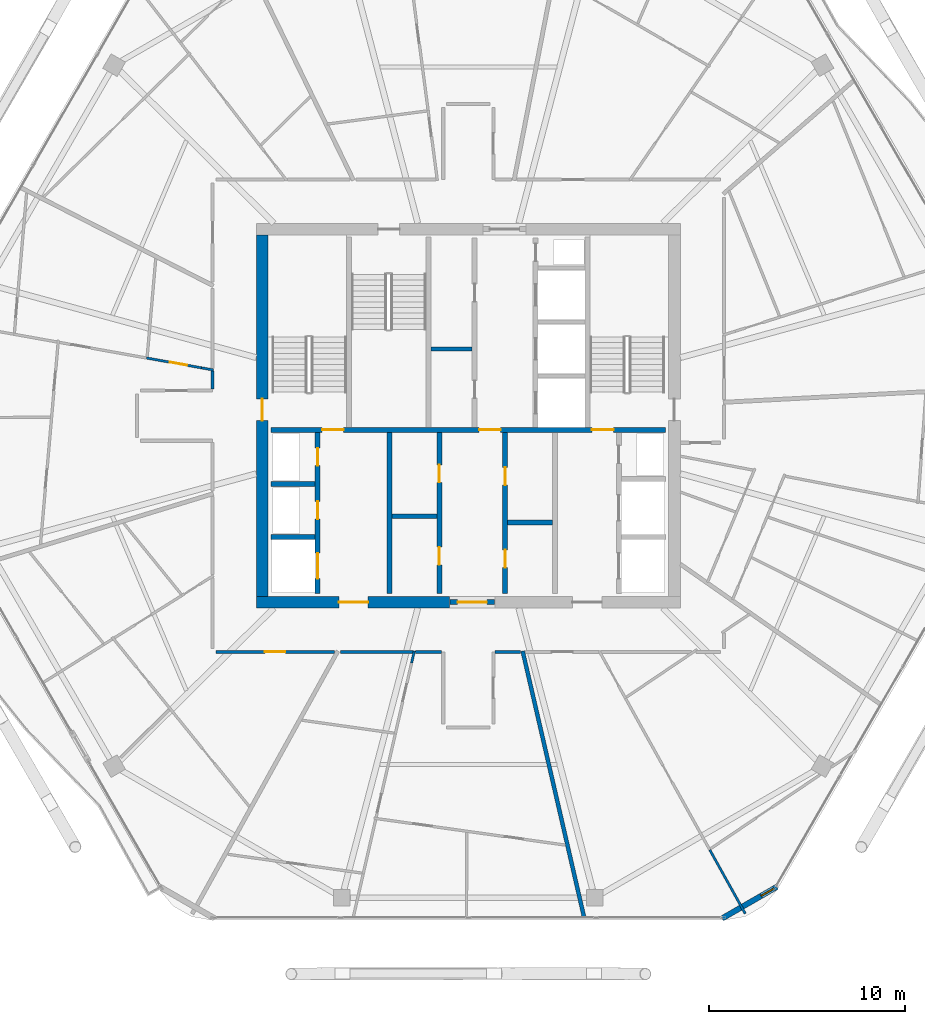
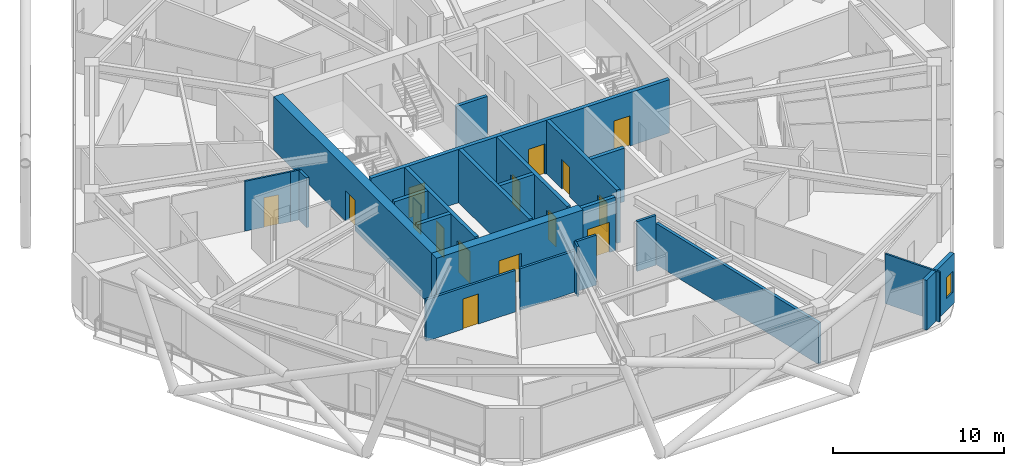
# One storey, part 21 of 28: 24 walls, 15 doors, 1 window, 16 openings.
"""IFC4 building model written with IfcOpenShell, lengths in metres."""

from ifc_helpers import new_model, si_unit, direction, frame, frame_2d, origin, place, context, subcontext, project, spatial, rectangle, extrude, material, layer, layer_set, type_object, element, fill, save


model = new_model("IFC4")

# Units and contexts
model_context = context("Model", 3, precision=1e-05, world=origin(), true_north=direction((0.0, 1.0)))
body_context = subcontext(model_context, "Body", "Model", "MODEL_VIEW")
ifc_project = project(units=[si_unit("LENGTHUNIT", "METRE"), si_unit("AREAUNIT", "SQUARE_METRE"), si_unit("VOLUMEUNIT", "CUBIC_METRE"), si_unit("PLANEANGLEUNIT", "RADIAN"), si_unit("MASSUNIT", "GRAM", prefix="KILO")], contexts=[model_context])

# Site, building, storey
site_placement = place(None, origin())
site = spatial("IfcSite", under=ifc_project, at=site_placement, CompositionType="ELEMENT")
building_placement = place(site_placement, origin())
building = spatial("IfcBuilding", under=site, at=building_placement, Name="Zuhravey Tower", CompositionType="ELEMENT")
storey_placement = place(building_placement, frame((0.0, 0.0, 284.39990234375)))
storey = spatial("IfcBuildingStorey", under=building, at=storey_placement, Name="L72", CompositionType="ELEMENT", Elevation=284.39990234375)

# Wall, opening, door
ifc_material_1 = material(Name="Concrete C50/60", Category="concrete")
ifc_layer_1 = layer(ifc_material_1, 0.60009765625)
ifc_layer_set_1 = layer_set([ifc_layer_1], Name="Concrete C50/60")
wall_type_1 = type_object("IfcWallType", Name="Core Shear Wall 600", PredefinedType="SHEAR", material=ifc_layer_set_1)
wall_1_placement = place(storey_placement, frame((25.199951171875, 22.5, 0.0), z_axis=(0.0, 0.0, 1.0), x_axis=(1.0, 0.0, 0.0)))
wall_1 = element("IfcWall", 1, at=wall_1_placement, inside=storey, type_object=wall_type_1, Name="L72 South-West Core Shear Wall CW60", PredefinedType="SHEAR", context=body_context, shape_type="SweptSolid", body=[
    extrude(rectangle(XDim=9.85009765625, YDim=0.60009765625, at=frame_2d((4.925048828125, 0.0))), origin(), (0.0, 0.0, 1.0), 3.800048828125),
])
opening_1_placement = place(wall_1_placement, frame((4.199951171875, 0.0, 0.0)))
opening_1 = element("IfcOpeningElement", 2, at=opening_1_placement, cuts=wall_1, Name="Opening FFD1", PredefinedType="OPENING", context=body_context, shape_type="SweptSolid", body=[
    extrude(rectangle(XDim=1.5, YDim=2.14990234375, at=frame_2d((0.75, 1.074951171875))), frame((0.0, 0.31201171875, 0.0), z_axis=(0.0, -1.0, 0.0), x_axis=(1.0, 0.0, 0.0)), (0.0, 0.0, 1.0), 0.6240234375),
])
ifc_material_2 = material(Name="Galvanised fire-rated steel leaf", Category="steel")
door_type_1 = type_object("IfcDoorType", Name="Firefighting Lobby Double Door 1500x2150", OperationType="DOUBLE_DOOR_SINGLE_SWING", PredefinedType="DOOR", material=ifc_material_2)
door_1_placement = place(opening_1_placement, origin())
door_1 = element("IfcDoor", 3, at=door_1_placement, inside=storey, type_object=door_type_1, Name="L72 Firefighting Lobby West Door", OperationType="DOUBLE_DOOR_SINGLE_SWING", OverallHeight=2.14990234375, OverallWidth=1.5, PredefinedType="DOOR", context=body_context, shape_type="SweptSolid", body=[
    extrude(rectangle(XDim=1.5, YDim=2.14990234375, at=frame_2d((0.75, 1.074951171875))), frame((0.0, 0.02490234375, 0.0), z_axis=(0.0, -1.0, 0.0), x_axis=(1.0, 0.0, 0.0)), (0.0, 0.0, 1.0), 0.050048828125),
])
fill(opening_1, door_1)

wall_2_placement = place(storey_placement, frame((25.5, 22.800048828125, 0.0), z_axis=(0.0, 0.0, 1.0), x_axis=(0.0, 1.0, 0.0)))
wall_2 = element("IfcWall", 4, at=wall_2_placement, inside=storey, type_object=wall_type_1, Name="L72 West Core Shear Wall CW60", PredefinedType="SHEAR", context=body_context, shape_type="SweptSolid", body=[
    extrude(rectangle(XDim=18.39990234375, YDim=0.60009765625, at=frame_2d((9.199951171875, 0.0))), origin(), (0.0, 0.0, 1.0), 3.800048828125),
])
opening_2_placement = place(wall_2_placement, frame((8.949951171875, 0.0, 0.0)))
opening_2 = element("IfcOpeningElement", 5, at=opening_2_placement, cuts=wall_2, Name="Opening STD1", PredefinedType="OPENING", context=body_context, shape_type="SweptSolid", body=[
    extrude(rectangle(XDim=1.10009765625, YDim=2.14990234375, at=frame_2d((0.550048828125, 1.074951171875))), frame((0.0, 0.31201171875, 0.0), z_axis=(0.0, -1.0, 0.0), x_axis=(1.0, 0.0, 0.0)), (0.0, 0.0, 1.0), 0.6240234375),
])
door_type_2 = type_object("IfcDoorType", Name="Protected Stair Fire Door 1100x2150", OperationType="NOTDEFINED", PredefinedType="USERDEFINED", material=ifc_material_2)
door_2_placement = place(opening_2_placement, frame((1.10009765625, 0.0, 0.0), z_axis=(0.0, 0.0, 1.0), x_axis=(-1.0, 0.0, 0.0)))
door_2 = element("IfcDoor", 6, at=door_2_placement, inside=storey, type_object=door_type_2, Name="L72 Stair ST1 Door", ObjectType="EXITDOOR", OperationType="SINGLE_SWING_RIGHT", OverallHeight=2.14990234375, OverallWidth=1.10009765625, PredefinedType="USERDEFINED", context=body_context, shape_type="SweptSolid", body=[
    extrude(rectangle(XDim=1.10009765625, YDim=2.14990234375, at=frame_2d((0.550048828125, 1.074951171875))), frame((0.0, 0.02490234375, 0.0), z_axis=(0.0, -1.0, 0.0), x_axis=(1.0, 0.0, 0.0)), (0.0, 0.0, 1.0), 0.050048828125),
])
fill(opening_2, door_2)

ifc_material_3 = material(Name="Gypsum fire-rated stud partition")
ifc_layer_2 = layer(ifc_material_3, 0.159912109375)
ifc_layer_set_2 = layer_set([ifc_layer_2], Name="Gypsum fire-rated stud partition")
wall_type_2 = type_object("IfcWallType", Name="Corridor Fire Partition 160", PredefinedType="PARTITIONING", material=ifc_layer_set_2)
wall_3_placement = place(storey_placement, frame((23.14990234375, 19.969970703125, 0.0), z_axis=(0.0, 0.0, 1.0), x_axis=(1.0, 0.0, 0.0)))
wall_3 = element("IfcWall", 7, at=wall_3_placement, inside=storey, type_object=wall_type_2, Name="L72 IW16 Partition 032", PredefinedType="PARTITIONING", context=body_context, shape_type="SweptSolid", body=[
    extrude(rectangle(XDim=6.02099609375, YDim=0.159912109375, at=frame_2d((3.010498046875, 0.0))), origin(), (0.0, 0.0, 1.0), 2.9501953125),
])
opening_3_placement = place(wall_3_placement, frame((2.4853515625, 0.0, 0.0)))
opening_3 = element("IfcOpeningElement", 8, at=opening_3_placement, cuts=wall_3, Name="Opening APD1", PredefinedType="OPENING", context=body_context, shape_type="SweptSolid", body=[
    extrude(rectangle(XDim=1.050048828125, YDim=2.14990234375, at=frame_2d((0.52490234375, 1.074951171875))), frame((0.0, 0.092041015625, 0.0), z_axis=(0.0, -1.0, 0.0), x_axis=(1.0, 0.0, 0.0)), (0.0, 0.0, 1.0), 0.183837890625),
])
ifc_material_4 = material(Name="Solid-core oak fire-rated leaf")
door_type_3 = type_object("IfcDoorType", Name="Apartment Entrance Fire Door 1050x2150", OperationType="NOTDEFINED", PredefinedType="DOOR", material=ifc_material_4)
door_3_placement = place(opening_3_placement, frame((1.050048828125, 0.0, 0.0), z_axis=(0.0, 0.0, 1.0), x_axis=(-1.0, 0.0, 0.0)))
door_3 = element("IfcDoor", 9, at=door_3_placement, inside=storey, type_object=door_type_3, Name="L72 Door 032.1", OperationType="SINGLE_SWING_LEFT", OverallHeight=2.14990234375, OverallWidth=1.050048828125, PredefinedType="DOOR", context=body_context, shape_type="SweptSolid", body=[
    extrude(rectangle(XDim=1.050048828125, YDim=2.14990234375, at=frame_2d((0.52490234375, 1.074951171875))), frame((0.0, 0.02490234375, 0.0), z_axis=(0.0, -1.0, 0.0), x_axis=(1.0, 0.0, 0.0)), (0.0, 0.0, 1.0), 0.050048828125),
])
fill(opening_3, door_3)

# Walls
wall_4_placement = place(storey_placement, frame((22.969970703125, 34.26611328125, 0.0), z_axis=(0.0, 0.0, 1.0), x_axis=(0.0, -1.0, 0.0)))
element("IfcWall", 10, at=wall_4_placement, inside=storey, type_object=wall_type_2, Name="L72 IW16 Partition 117", PredefinedType="PARTITIONING", context=body_context, shape_type="SweptSolid", body=[
    extrude(rectangle(XDim=0.898193359375, YDim=0.159912109375, at=frame_2d((0.44921875, 0.0))), origin(), (0.0, 0.0, 1.0), 3.550048828125),
])
wall_5_placement = place(storey_placement, frame((33.31005859375, 19.969970703125, 0.0), z_axis=(0.0, 0.0, 1.0), x_axis=(1.0, 0.0, 0.0)))
element("IfcWall", 11, at=wall_5_placement, inside=storey, type_object=wall_type_2, Name="L72 IW16 Partition 123", PredefinedType="PARTITIONING", context=body_context, shape_type="SweptSolid", body=[
    extrude(rectangle(XDim=1.322021484375, YDim=0.159912109375, at=frame_2d((0.6611328125, 0.0))), origin(), (0.0, 0.0, 1.0), 3.550048828125),
])
wall_6_placement = place(storey_placement, frame((37.367919921875, 19.969970703125, 0.0), z_axis=(0.0, 0.0, 1.0), x_axis=(1.0, 0.0, 0.0)))
element("IfcWall", 12, at=wall_6_placement, inside=storey, type_object=wall_type_2, Name="L72 IW16 Partition 124", PredefinedType="PARTITIONING", context=body_context, shape_type="SweptSolid", body=[
    extrude(rectangle(XDim=1.278564453125, YDim=0.159912109375, at=frame_2d((0.63916015625, 0.0))), origin(), (0.0, 0.0, 1.0), 3.550048828125),
])
wall_7_placement = place(storey_placement, frame((29.490966796875, 19.969970703125, 0.0), z_axis=(0.0, 0.0, 1.0), x_axis=(1.0, 0.0, 0.0)))
element("IfcWall", 13, at=wall_7_placement, inside=storey, type_object=wall_type_2, Name="L72 IW16 Partition 125", PredefinedType="PARTITIONING", context=body_context, shape_type="SweptSolid", body=[
    extrude(rectangle(XDim=3.6796875, YDim=0.159912109375, at=frame_2d((1.83984375, 0.0))), origin(), (0.0, 0.0, 1.0), 2.9501953125),
])

# Wall, opening, window
ifc_material_5 = material(Name="Precast concrete C40/50", Category="concrete")
ifc_layer_3 = layer(ifc_material_5, 0.280029296875)
ifc_layer_set_3 = layer_set([ifc_layer_3], Name="Precast concrete C40/50")
wall_type_3 = type_object("IfcWallType", Name="Crown Architectural Wall 280", PredefinedType="SOLIDWALL", material=ifc_layer_set_3)
wall_8_placement = place(storey_placement, frame((51.714599609375, 7.996337890625, 0.0), z_axis=(0.0, 0.0, 1.0), x_axis=(-0.866028773314, -0.499994163758, 0.0)))
wall_8 = element("IfcWall", 14, at=wall_8_placement, inside=storey, type_object=wall_type_3, Name="L72 Rounded Corner Closure Wall EW28-02", PredefinedType="SOLIDWALL", context=body_context, shape_type="SweptSolid", body=[
    extrude(rectangle(XDim=3.21484375, YDim=0.280029296875, at=frame_2d((1.607421875, 0.0))), origin(), (0.0, 0.0, 1.0), 3.550048828125),
])
opening_4_placement = place(wall_8_placement, frame((0.17578125, 0.0, 0.85009765625)))
opening_4 = element("IfcOpeningElement", 15, at=opening_4_placement, cuts=wall_8, Name="Opening WN5", PredefinedType="OPENING", context=body_context, shape_type="SweptSolid", body=[
    extrude(rectangle(XDim=0.75, YDim=1.5, at=frame_2d((0.375, 0.75))), frame((0.0, 0.152099609375, 0.0), z_axis=(0.0, -1.0, 0.0), x_axis=(1.0, 0.0, 0.0)), (0.0, 0.0, 1.0), 0.303955078125),
])
ifc_material_6 = material(Name="Thermally broken aluminium and triple low-E glass", Category="aluminium")
window_type = type_object("IfcWindowType", Name="Residential Corner Casement Window 750x1500", PartitioningType="SINGLE_PANEL", PredefinedType="WINDOW", material=ifc_material_6)
window_placement = place(opening_4_placement, origin())
window = element("IfcWindow", 16, at=window_placement, inside=storey, type_object=window_type, Name="L72 Corner Casement Window WN5-02.1", OverallHeight=1.5, OverallWidth=0.75, PartitioningType="SINGLE_PANEL", PredefinedType="WINDOW", context=body_context, shape_type="SweptSolid", body=[
    extrude(rectangle(XDim=0.75, YDim=1.5, at=frame_2d((0.375, 0.75))), frame((0.0, 0.030029296875, 0.0), z_axis=(0.0, -1.0, 0.0), x_axis=(1.0, 0.0, 0.0)), (0.0, 0.0, 1.0), 0.06005859375),
])
fill(opening_4, window)

# Wall, opening, door
ifc_layer_4 = layer(ifc_material_1, 0.25)
ifc_layer_set_4 = layer_set([ifc_layer_4], Name="Concrete C50/60")
wall_type_4 = type_object("IfcWallType", Name="Firefighting Shaft & Stair Wall 250", PredefinedType="SOLIDWALL", material=ifc_layer_set_4)
wall_9_placement = place(storey_placement, frame((35.06005859375, 22.5, 0.0), z_axis=(0.0, 0.0, 1.0), x_axis=(1.0, 0.0, 0.0)))
wall_9 = element("IfcWall", 17, at=wall_9_placement, inside=storey, type_object=wall_type_4, Name="L72 FW25 Shaft Wall 001", PredefinedType="SOLIDWALL", context=body_context, shape_type="SweptSolid", body=[
    extrude(rectangle(XDim=2.280029296875, YDim=0.25, at=frame_2d((1.14013671875, 0.0))), origin(), (0.0, 0.0, 1.0), 3.800048828125),
])
opening_5_placement = place(wall_9_placement, frame((0.389892578125, 0.0, 0.0)))
opening_5 = element("IfcOpeningElement", 18, at=opening_5_placement, cuts=wall_9, Name="Opening FFD1", PredefinedType="OPENING", context=body_context, shape_type="SweptSolid", body=[
    extrude(rectangle(XDim=1.5, YDim=2.14990234375, at=frame_2d((0.75, 1.074951171875))), frame((0.0, 0.136962890625, 0.0), z_axis=(0.0, -1.0, 0.0), x_axis=(1.0, 0.0, 0.0)), (0.0, 0.0, 1.0), 0.27392578125),
])
door_4_placement = place(opening_5_placement, frame((1.5, 0.0, 0.0), z_axis=(0.0, 0.0, 1.0), x_axis=(-1.0, 0.0, 0.0)))
door_4 = element("IfcDoor", 19, at=door_4_placement, inside=storey, type_object=door_type_1, Name="L72 South Lift Lobby Exit Door", OperationType="DOUBLE_DOOR_SINGLE_SWING", OverallHeight=2.14990234375, OverallWidth=1.5, PredefinedType="DOOR", context=body_context, shape_type="SweptSolid", body=[
    extrude(rectangle(XDim=1.5, YDim=2.14990234375, at=frame_2d((0.75, 1.074951171875))), frame((0.0, 0.02490234375, 0.0), z_axis=(0.0, -1.0, 0.0), x_axis=(1.0, 0.0, 0.0)), (0.0, 0.0, 1.0), 0.050048828125),
])
fill(opening_5, door_4)

# Wall, openings, doors
wall_10_placement = place(storey_placement, frame((25.949951171875, 31.27490234375, 0.0), z_axis=(0.0, 0.0, 1.0), x_axis=(1.0, 0.0, 0.0)))
wall_10 = element("IfcWall", 20, at=wall_10_placement, inside=storey, type_object=wall_type_4, Name="L72 FW25 Shaft Wall 003", PredefinedType="SOLIDWALL", context=body_context, shape_type="SweptSolid", body=[
    extrude(rectangle(XDim=20.10009765625, YDim=0.25, at=frame_2d((10.050048828125, 0.0))), origin(), (0.0, 0.0, 1.0), 3.800048828125),
])
opening_6_placement = place(wall_10_placement, frame((2.60009765625, 0.0, 0.0)))
opening_6 = element("IfcOpeningElement", 21, at=opening_6_placement, cuts=wall_10, Name="Opening STD1", PredefinedType="OPENING", context=body_context, shape_type="SweptSolid", body=[
    extrude(rectangle(XDim=1.10009765625, YDim=2.14990234375, at=frame_2d((0.550048828125, 1.074951171875))), frame((0.0, 0.136962890625, 0.0), z_axis=(0.0, -1.0, 0.0), x_axis=(1.0, 0.0, 0.0)), (0.0, 0.0, 1.0), 0.27392578125),
])
opening_7_placement = place(wall_10_placement, frame((10.60009765625, 0.0, 0.0)))
opening_7 = element("IfcOpeningElement", 22, at=opening_7_placement, cuts=wall_10, Name="Opening STD1", PredefinedType="OPENING", context=body_context, shape_type="SweptSolid", body=[
    extrude(rectangle(XDim=1.10009765625, YDim=2.14990234375, at=frame_2d((0.550048828125, 1.074951171875))), frame((0.0, 0.136962890625, 0.0), z_axis=(0.0, -1.0, 0.0), x_axis=(1.0, 0.0, 0.0)), (0.0, 0.0, 1.0), 0.27392578125),
])
opening_8_placement = place(wall_10_placement, frame((16.35009765625, 0.0, 0.0)))
opening_8 = element("IfcOpeningElement", 23, at=opening_8_placement, cuts=wall_10, Name="Opening STD1", PredefinedType="OPENING", context=body_context, shape_type="SweptSolid", body=[
    extrude(rectangle(XDim=1.10009765625, YDim=2.14990234375, at=frame_2d((0.550048828125, 1.074951171875))), frame((0.0, 0.136962890625, 0.0), z_axis=(0.0, -1.0, 0.0), x_axis=(1.0, 0.0, 0.0)), (0.0, 0.0, 1.0), 0.27392578125),
])
door_5_placement = place(opening_6_placement, origin())
door_5 = element("IfcDoor", 24, at=door_5_placement, inside=storey, type_object=door_type_2, Name="L72 FFL-W to ST1 Door", ObjectType="EXITDOOR", OperationType="SINGLE_SWING_LEFT", OverallHeight=2.14990234375, OverallWidth=1.10009765625, PredefinedType="USERDEFINED", context=body_context, shape_type="SweptSolid", body=[
    extrude(rectangle(XDim=1.10009765625, YDim=2.14990234375, at=frame_2d((0.550048828125, 1.074951171875))), frame((0.0, 0.02490234375, 0.0), z_axis=(0.0, -1.0, 0.0), x_axis=(1.0, 0.0, 0.0)), (0.0, 0.0, 1.0), 0.050048828125),
])
fill(opening_6, door_5)
door_6_placement = place(opening_7_placement, origin())
door_6 = element("IfcDoor", 25, at=door_6_placement, inside=storey, type_object=door_type_2, Name="L72 Core Lobby Link Door", ObjectType="EXITDOOR", OperationType="SINGLE_SWING_RIGHT", OverallHeight=2.14990234375, OverallWidth=1.10009765625, PredefinedType="USERDEFINED", context=body_context, shape_type="SweptSolid", body=[
    extrude(rectangle(XDim=1.10009765625, YDim=2.14990234375, at=frame_2d((0.550048828125, 1.074951171875))), frame((0.0, 0.02490234375, 0.0), z_axis=(0.0, -1.0, 0.0), x_axis=(1.0, 0.0, 0.0)), (0.0, 0.0, 1.0), 0.050048828125),
])
fill(opening_7, door_6)
door_7_placement = place(opening_8_placement, origin())
door_7 = element("IfcDoor", 26, at=door_7_placement, inside=storey, type_object=door_type_2, Name="L72 FFL-E to ST2 Door", ObjectType="EXITDOOR", OperationType="SINGLE_SWING_LEFT", OverallHeight=2.14990234375, OverallWidth=1.10009765625, PredefinedType="USERDEFINED", context=body_context, shape_type="SweptSolid", body=[
    extrude(rectangle(XDim=1.10009765625, YDim=2.14990234375, at=frame_2d((0.550048828125, 1.074951171875))), frame((0.0, 0.02490234375, 0.0), z_axis=(0.0, -1.0, 0.0), x_axis=(1.0, 0.0, 0.0)), (0.0, 0.0, 1.0), 0.050048828125),
])
fill(opening_8, door_7)

# Walls
for number, where, z_axis, x_axis, name in (
    (27, (25.949951171875, 25.824951171875, 0.0), (0.0, 0.0, 1.0), (1.0, 0.0, 0.0), "L72 FW25 Shaft Wall 009"),
    (28, (25.949951171875, 28.52490234375, 0.0), (0.0, 0.0, 1.0), (1.0, 0.0, 0.0), "L72 FW25 Shaft Wall 010"),
):
    element("IfcWall", number, at=place(storey_placement, frame(where, z_axis=z_axis, x_axis=x_axis)), inside=storey, type_object=wall_type_4, Name=name, PredefinedType="SOLIDWALL", context=body_context, shape_type="SweptSolid", body=[
        extrude(rectangle(XDim=2.25, YDim=0.25, at=frame_2d((1.125, 0.0))), origin(), (0.0, 0.0, 1.0), 3.800048828125),
    ])

# Wall, openings, doors
wall_11_placement = place(storey_placement, frame((28.324951171875, 22.949951171875, 0.0), z_axis=(0.0, 0.0, 1.0), x_axis=(0.0, 1.0, 0.0)))
wall_11 = element("IfcWall", 29, at=wall_11_placement, inside=storey, type_object=wall_type_4, Name="L72 FW25 Shaft Wall 011", PredefinedType="SOLIDWALL", context=body_context, shape_type="SweptSolid", body=[
    extrude(rectangle(XDim=8.199951171875, YDim=0.25, at=frame_2d((4.10009765625, 0.0))), origin(), (0.0, 0.0, 1.0), 3.800048828125),
])
opening_9_placement = place(wall_11_placement, frame((0.75, 0.0, 0.0)))
opening_9 = element("IfcOpeningElement", 30, at=opening_9_placement, cuts=wall_11, Name="Opening LD2", PredefinedType="OPENING", context=body_context, shape_type="SweptSolid", body=[
    extrude(rectangle(XDim=1.300048828125, YDim=2.300048828125, at=frame_2d((0.64990234375, 1.14990234375))), frame((0.0, 0.136962890625, 0.0), z_axis=(0.0, -1.0, 0.0), x_axis=(1.0, 0.0, 0.0)), (0.0, 0.0, 1.0), 0.27392578125),
])
opening_10_placement = place(wall_11_placement, frame((3.780029296875, 0.0, 0.0)))
opening_10 = element("IfcOpeningElement", 31, at=opening_10_placement, cuts=wall_11, Name="Opening RSD1", PredefinedType="OPENING", context=body_context, shape_type="SweptSolid", body=[
    extrude(rectangle(XDim=0.89990234375, YDim=2.10009765625, at=frame_2d((0.449951171875, 1.050048828125))), frame((0.0, 0.136962890625, 0.0), z_axis=(0.0, -1.0, 0.0), x_axis=(1.0, 0.0, 0.0)), (0.0, 0.0, 1.0), 0.27392578125),
])
opening_11_placement = place(wall_11_placement, frame((6.5, 0.0, 0.0)))
opening_11 = element("IfcOpeningElement", 32, at=opening_11_placement, cuts=wall_11, Name="Opening RSD1", PredefinedType="OPENING", context=body_context, shape_type="SweptSolid", body=[
    extrude(rectangle(XDim=0.89990234375, YDim=2.10009765625, at=frame_2d((0.449951171875, 1.050048828125))), frame((0.0, 0.136962890625, 0.0), z_axis=(0.0, -1.0, 0.0), x_axis=(1.0, 0.0, 0.0)), (0.0, 0.0, 1.0), 0.27392578125),
])
ifc_material_7 = material(Name="Brushed stainless steel", Category="steel")
door_type_4 = type_object("IfcDoorType", Name="Freight & Stretcher Lift Sliding Door 1300x2300", OperationType="DOUBLE_DOOR_SLIDING", PredefinedType="DOOR", material=ifc_material_7)
door_8_placement = place(opening_9_placement, frame((1.300048828125, 0.0, 0.0), z_axis=(0.0, 0.0, 1.0), x_axis=(-1.0, 0.0, 0.0)))
door_8 = element("IfcDoor", 33, at=door_8_placement, inside=storey, type_object=door_type_4, Name="L72 Lift FF1 Landing Door", OperationType="DOUBLE_DOOR_SLIDING", OverallHeight=2.300048828125, OverallWidth=1.300048828125, PredefinedType="DOOR", context=body_context, shape_type="SweptSolid", body=[
    extrude(rectangle(XDim=1.300048828125, YDim=2.300048828125, at=frame_2d((0.64990234375, 1.14990234375))), frame((0.0, 0.02490234375, 0.0), z_axis=(0.0, -1.0, 0.0), x_axis=(1.0, 0.0, 0.0)), (0.0, 0.0, 1.0), 0.050048828125),
])
fill(opening_9, door_8)
ifc_material_8 = material(Name="Galvanised fire-rated steel access leaf", Category="steel")
door_type_5 = type_object("IfcDoorType", Name="Riser & Shaft Access Fire Door 900x2100", OperationType="NOTDEFINED", PredefinedType="DOOR", material=ifc_material_8)
door_9_placement = place(opening_10_placement, frame((0.89990234375, 0.0, 0.0), z_axis=(0.0, 0.0, 1.0), x_axis=(-1.0, 0.0, 0.0)))
door_9 = element("IfcDoor", 34, at=door_9_placement, inside=storey, type_object=door_type_5, Name="L72 Electrical Riser Door", OperationType="SINGLE_SWING_LEFT", OverallHeight=2.10009765625, OverallWidth=0.89990234375, PredefinedType="DOOR", context=body_context, shape_type="SweptSolid", body=[
    extrude(rectangle(XDim=0.89990234375, YDim=2.10009765625, at=frame_2d((0.449951171875, 1.050048828125))), frame((0.0, 0.02490234375, 0.0), z_axis=(0.0, -1.0, 0.0), x_axis=(1.0, 0.0, 0.0)), (0.0, 0.0, 1.0), 0.050048828125),
])
fill(opening_10, door_9)
door_10_placement = place(opening_11_placement, frame((0.89990234375, 0.0, 0.0), z_axis=(0.0, 0.0, 1.0), x_axis=(-1.0, 0.0, 0.0)))
door_10 = element("IfcDoor", 35, at=door_10_placement, inside=storey, type_object=door_type_5, Name="L72 Smoke Shaft Access Door", OperationType="SINGLE_SWING_RIGHT", OverallHeight=2.10009765625, OverallWidth=0.89990234375, PredefinedType="DOOR", context=body_context, shape_type="SweptSolid", body=[
    extrude(rectangle(XDim=0.89990234375, YDim=2.10009765625, at=frame_2d((0.449951171875, 1.050048828125))), frame((0.0, 0.02490234375, 0.0), z_axis=(0.0, -1.0, 0.0), x_axis=(1.0, 0.0, 0.0)), (0.0, 0.0, 1.0), 0.050048828125),
])
fill(opening_11, door_10)

# Walls
wall_12_placement = place(storey_placement, frame((31.97509765625, 22.949951171875, 0.0), z_axis=(0.0, 0.0, 1.0), x_axis=(0.0, 1.0, 0.0)))
element("IfcWall", 36, at=wall_12_placement, inside=storey, type_object=wall_type_4, Name="L72 FW25 Shaft Wall 012", PredefinedType="SOLIDWALL", context=body_context, shape_type="SweptSolid", body=[
    extrude(rectangle(XDim=8.199951171875, YDim=0.25, at=frame_2d((4.10009765625, 0.0))), origin(), (0.0, 0.0, 1.0), 3.800048828125),
])
wall_13_placement = place(storey_placement, frame((32.10009765625, 26.875, 0.0), z_axis=(0.0, 0.0, 1.0), x_axis=(1.0, 0.0, 0.0)))
element("IfcWall", 37, at=wall_13_placement, inside=storey, type_object=wall_type_4, Name="L72 FW25 Shaft Wall 013", PredefinedType="SOLIDWALL", context=body_context, shape_type="SweptSolid", body=[
    extrude(rectangle(XDim=2.2998046875, YDim=0.25, at=frame_2d((1.14990234375, 0.0))), origin(), (0.0, 0.0, 1.0), 3.800048828125),
])

# Wall, openings, doors
wall_14_placement = place(storey_placement, frame((34.52490234375, 22.949951171875, 0.0), z_axis=(0.0, 0.0, 1.0), x_axis=(0.0, 1.0, 0.0)))
wall_14 = element("IfcWall", 38, at=wall_14_placement, inside=storey, type_object=wall_type_4, Name="L72 FW25 Shaft Wall 014", PredefinedType="SOLIDWALL", context=body_context, shape_type="SweptSolid", body=[
    extrude(rectangle(XDim=8.199951171875, YDim=0.25, at=frame_2d((4.10009765625, 0.0))), origin(), (0.0, 0.0, 1.0), 3.800048828125),
])
opening_12_placement = place(wall_14_placement, frame((1.449951171875, 0.0, 0.0)))
opening_12 = element("IfcOpeningElement", 39, at=opening_12_placement, cuts=wall_14, Name="Opening RSD1", PredefinedType="OPENING", context=body_context, shape_type="SweptSolid", body=[
    extrude(rectangle(XDim=0.89990234375, YDim=2.10009765625, at=frame_2d((0.449951171875, 1.050048828125))), frame((0.0, 0.136962890625, 0.0), z_axis=(0.0, -1.0, 0.0), x_axis=(1.0, 0.0, 0.0)), (0.0, 0.0, 1.0), 0.27392578125),
])
opening_13_placement = place(wall_14_placement, frame((5.64990234375, 0.0, 0.0)))
opening_13 = element("IfcOpeningElement", 40, at=opening_13_placement, cuts=wall_14, Name="Opening RSD1", PredefinedType="OPENING", context=body_context, shape_type="SweptSolid", body=[
    extrude(rectangle(XDim=0.89990234375, YDim=2.10009765625, at=frame_2d((0.449951171875, 1.050048828125))), frame((0.0, 0.136962890625, 0.0), z_axis=(0.0, -1.0, 0.0), x_axis=(1.0, 0.0, 0.0)), (0.0, 0.0, 1.0), 0.27392578125),
])
door_11_placement = place(opening_12_placement, origin())
door_11 = element("IfcDoor", 41, at=door_11_placement, inside=storey, type_object=door_type_5, Name="L72 Housekeeping and Linen Room Door", OperationType="SINGLE_SWING_LEFT", OverallHeight=2.10009765625, OverallWidth=0.89990234375, PredefinedType="DOOR", context=body_context, shape_type="SweptSolid", body=[
    extrude(rectangle(XDim=0.89990234375, YDim=2.10009765625, at=frame_2d((0.449951171875, 1.050048828125))), frame((0.0, 0.02490234375, 0.0), z_axis=(0.0, -1.0, 0.0), x_axis=(1.0, 0.0, 0.0)), (0.0, 0.0, 1.0), 0.050048828125),
])
fill(opening_12, door_11)
door_12_placement = place(opening_13_placement, origin())
door_12 = element("IfcDoor", 42, at=door_12_placement, inside=storey, type_object=door_type_5, Name="L72 Telecoms Switch Closet Door", OperationType="SINGLE_SWING_RIGHT", OverallHeight=2.10009765625, OverallWidth=0.89990234375, PredefinedType="DOOR", context=body_context, shape_type="SweptSolid", body=[
    extrude(rectangle(XDim=0.89990234375, YDim=2.10009765625, at=frame_2d((0.449951171875, 1.050048828125))), frame((0.0, 0.02490234375, 0.0), z_axis=(0.0, -1.0, 0.0), x_axis=(1.0, 0.0, 0.0)), (0.0, 0.0, 1.0), 0.050048828125),
])
fill(opening_13, door_12)

# Wall
wall_15_placement = place(storey_placement, frame((38.0, 26.550048828125, 0.0), z_axis=(0.0, 0.0, 1.0), x_axis=(1.0, 0.0, 0.0)))
element("IfcWall", 43, at=wall_15_placement, inside=storey, type_object=wall_type_4, Name="L72 FW25 Shaft Wall 015", PredefinedType="SOLIDWALL", context=body_context, shape_type="SweptSolid", body=[
    extrude(rectangle(XDim=2.300048828125, YDim=0.25, at=frame_2d((1.14990234375, 0.0))), origin(), (0.0, 0.0, 1.0), 3.800048828125),
])

# Wall, openings, doors
wall_16_placement = place(storey_placement, frame((37.875, 22.949951171875, 0.0), z_axis=(0.0, 0.0, 1.0), x_axis=(0.0, 1.0, 0.0)))
wall_16 = element("IfcWall", 44, at=wall_16_placement, inside=storey, type_object=wall_type_4, Name="L72 FW25 Shaft Wall 016", PredefinedType="SOLIDWALL", context=body_context, shape_type="SweptSolid", body=[
    extrude(rectangle(XDim=8.199951171875, YDim=0.25, at=frame_2d((4.10009765625, 0.0))), origin(), (0.0, 0.0, 1.0), 3.800048828125),
])
opening_14_placement = place(wall_16_placement, frame((1.3125, 0.0, 0.0)))
opening_14 = element("IfcOpeningElement", 45, at=opening_14_placement, cuts=wall_16, Name="Opening RSD1", PredefinedType="OPENING", context=body_context, shape_type="SweptSolid", body=[
    extrude(rectangle(XDim=0.89990234375, YDim=2.10009765625, at=frame_2d((0.449951171875, 1.050048828125))), frame((0.0, 0.136962890625, 0.0), z_axis=(0.0, -1.0, 0.0), x_axis=(1.0, 0.0, 0.0)), (0.0, 0.0, 1.0), 0.27392578125),
])
opening_15_placement = place(wall_16_placement, frame((5.512451171875, 0.0, 0.0)))
opening_15 = element("IfcOpeningElement", 46, at=opening_15_placement, cuts=wall_16, Name="Opening RSD1", PredefinedType="OPENING", context=body_context, shape_type="SweptSolid", body=[
    extrude(rectangle(XDim=0.89990234375, YDim=2.10009765625, at=frame_2d((0.449951171875, 1.050048828125))), frame((0.0, 0.136962890625, 0.0), z_axis=(0.0, -1.0, 0.0), x_axis=(1.0, 0.0, 0.0)), (0.0, 0.0, 1.0), 0.27392578125),
])
door_13_placement = place(opening_14_placement, frame((0.89990234375, 0.0, 0.0), z_axis=(0.0, 0.0, 1.0), x_axis=(-1.0, 0.0, 0.0)))
door_13 = element("IfcDoor", 47, at=door_13_placement, inside=storey, type_object=door_type_5, Name="L72 Trunk Store Door", OperationType="SINGLE_SWING_LEFT", OverallHeight=2.10009765625, OverallWidth=0.89990234375, PredefinedType="DOOR", context=body_context, shape_type="SweptSolid", body=[
    extrude(rectangle(XDim=0.89990234375, YDim=2.10009765625, at=frame_2d((0.449951171875, 1.050048828125))), frame((0.0, 0.02490234375, 0.0), z_axis=(0.0, -1.0, 0.0), x_axis=(1.0, 0.0, 0.0)), (0.0, 0.0, 1.0), 0.050048828125),
])
fill(opening_14, door_13)
door_14_placement = place(opening_15_placement, frame((0.89990234375, 0.0, 0.0), z_axis=(0.0, 0.0, 1.0), x_axis=(-1.0, 0.0, 0.0)))
door_14 = element("IfcDoor", 48, at=door_14_placement, inside=storey, type_object=door_type_5, Name="L72 Fiber Room Door", OperationType="SINGLE_SWING_RIGHT", OverallHeight=2.10009765625, OverallWidth=0.89990234375, PredefinedType="DOOR", context=body_context, shape_type="SweptSolid", body=[
    extrude(rectangle(XDim=0.89990234375, YDim=2.10009765625, at=frame_2d((0.449951171875, 1.050048828125))), frame((0.0, 0.02490234375, 0.0), z_axis=(0.0, -1.0, 0.0), x_axis=(1.0, 0.0, 0.0)), (0.0, 0.0, 1.0), 0.050048828125),
])
fill(opening_15, door_14)

# Walls
ifc_material_9 = material(Name="Gypsum double-stud party assembly")
ifc_layer_5 = layer(ifc_material_9, 0.199951171875)
ifc_layer_set_5 = layer_set([ifc_layer_5], Name="Gypsum double-stud party assembly")
wall_type_5 = type_object("IfcWallType", Name="Inter-Tenancy Party Wall 200", PredefinedType="PARTITIONING", material=ifc_layer_set_5)
wall_17_placement = place(storey_placement, frame((38.76806640625, 20.010009765625, 0.0), z_axis=(0.0, 0.0, 1.0), x_axis=(0.224954220799, -0.974369333746, 0.0)))
element("IfcWall", 49, at=wall_17_placement, inside=storey, type_object=wall_type_5, Name="L72 IW20 Partition 085", PredefinedType="PARTITIONING", context=body_context, shape_type="SweptSolid", body=[
    extrude(rectangle(XDim=13.9306640625, YDim=0.199951171875, at=frame_2d((6.96533203125, 0.0))), origin(), (0.0, 0.0, 1.0), 2.93017578125),
])
ifc_material_10 = material(Name="Gypsum acoustic stud assembly")
ifc_layer_6 = layer(ifc_material_10, 0.219970703125)
ifc_layer_set_6 = layer_set([ifc_layer_6], Name="Gypsum acoustic stud assembly")
wall_type_6 = type_object("IfcWallType", Name="School Acoustic Compartment Wall 220", PredefinedType="PARTITIONING", material=ifc_layer_set_6)
wall_18_placement = place(storey_placement, frame((34.10791015625, 35.39990234375, 0.0), z_axis=(0.0, 0.0, 1.0), x_axis=(1.0, 0.0, 0.0)))
element("IfcWall", 50, at=wall_18_placement, inside=storey, type_object=wall_type_6, Name="L72 IW22 Partition 066", PredefinedType="PARTITIONING", context=body_context, shape_type="SweptSolid", body=[
    extrude(rectangle(XDim=2.083984375, YDim=0.219970703125, at=frame_2d((1.0419921875, 0.0))), origin(), (0.0, 0.0, 1.0), 3.550048828125),
])

# Wall, opening, door
ifc_material_11 = material(Name="Gypsum metal-stud partition")
ifc_layer_7 = layer(ifc_material_11, 0.1201171875)
ifc_layer_set_7 = layer_set([ifc_layer_7], Name="Gypsum metal-stud partition")
wall_type_7 = type_object("IfcWallType", Name="Unit Internal Partition 120", PredefinedType="PARTITIONING", material=ifc_layer_set_7)
wall_19_placement = place(storey_placement, frame((22.39990234375, 34.437255859375, 0.0), z_axis=(0.0, 0.0, 1.0), x_axis=(-0.984321470617, 0.176383793142, 0.0)))
wall_19 = element("IfcWall", 51, at=wall_19_placement, inside=storey, type_object=wall_type_7, Name="L72 IW12 Partition 022", PredefinedType="PARTITIONING", context=body_context, shape_type="SweptSolid", body=[
    extrude(rectangle(XDim=2.834716796875, YDim=0.1201171875, at=frame_2d((1.41748046875, 0.0))), origin(), (0.0, 0.0, 1.0), 3.550048828125),
])
opening_16_placement = place(wall_19_placement, frame((0.74072265625, 0.0, 0.0)))
opening_16 = element("IfcOpeningElement", 52, at=opening_16_placement, cuts=wall_19, Name="Opening WCD1", PredefinedType="OPENING", context=body_context, shape_type="SweptSolid", body=[
    extrude(rectangle(XDim=0.89990234375, YDim=2.10009765625, at=frame_2d((0.449951171875, 1.050048828125))), frame((0.0, 0.072021484375, 0.0), z_axis=(0.0, -1.0, 0.0), x_axis=(1.0, 0.0, 0.0)), (0.0, 0.0, 1.0), 0.14404296875),
])
ifc_material_12 = material(Name="Moisture-resistant timber leaf", Category="wood")
door_type_6 = type_object("IfcDoorType", Name="Bathroom & WC Internal Door 900x2100", OperationType="NOTDEFINED", PredefinedType="DOOR", material=ifc_material_12)
door_15_placement = place(opening_16_placement, frame((0.89990234375, 0.0, 0.0), z_axis=(0.0, 0.0, 1.0), x_axis=(-1.0, 0.0, 0.0)))
door_15 = element("IfcDoor", 53, at=door_15_placement, inside=storey, type_object=door_type_6, Name="Apartment L72-01 Bathroom Door", OperationType="SINGLE_SWING_RIGHT", OverallHeight=2.10009765625, OverallWidth=0.89990234375, PredefinedType="DOOR", context=body_context, shape_type="SweptSolid", body=[
    extrude(rectangle(XDim=0.89990234375, YDim=2.10009765625, at=frame_2d((0.449951171875, 1.050048828125))), frame((0.0, 0.02490234375, 0.0), z_axis=(0.0, -1.0, 0.0), x_axis=(1.0, 0.0, 0.0)), (0.0, 0.0, 1.0), 0.050048828125),
])
fill(opening_16, door_15)

# Walls
wall_20_placement = place(storey_placement, frame((23.0146484375, 34.3271484375, 0.0), z_axis=(0.0, 0.0, 1.0), x_axis=(-0.984335630705, 0.176304753554, 0.0)))
element("IfcWall", 54, at=wall_20_placement, inside=storey, type_object=wall_type_7, Name="L72 IW12 Partition 072", PredefinedType="PARTITIONING", context=body_context, shape_type="SweptSolid", body=[
    extrude(rectangle(XDim=0.62451171875, YDim=0.1201171875, at=frame_2d((0.312255859375, 0.0))), origin(), (0.0, 0.0, 1.0), 3.550048828125),
])
wall_21_placement = place(storey_placement, frame((33.25048828125, 20.014404296875, 0.0), z_axis=(0.0, 0.0, 1.0), x_axis=(-0.223445142746, -0.974716506572, 0.0)))
element("IfcWall", 55, at=wall_21_placement, inside=storey, type_object=wall_type_7, Name="L72 IW12 Partition 082", PredefinedType="PARTITIONING", context=body_context, shape_type="SweptSolid", body=[
    extrude(rectangle(XDim=0.63037109375, YDim=0.1201171875, at=frame_2d((0.315185546875, 0.0))), origin(), (0.0, 0.0, 1.0), 3.550048828125),
])
wall_22_placement = place(storey_placement, frame((48.300048828125, 9.883056640625, 0.0), z_axis=(0.0, 0.0, 1.0), x_axis=(0.486055789074, -0.873927783005, 0.0)))
element("IfcWall", 56, at=wall_22_placement, inside=storey, type_object=wall_type_7, Name="L72 IW12 Partition 087", PredefinedType="PARTITIONING", context=body_context, shape_type="SweptSolid", body=[
    extrude(rectangle(XDim=3.71484375, YDim=0.1201171875, at=frame_2d((1.857421875, 0.0))), origin(), (0.0, 0.0, 1.0), 3.550048828125),
])

save(model, "model.ifc")
